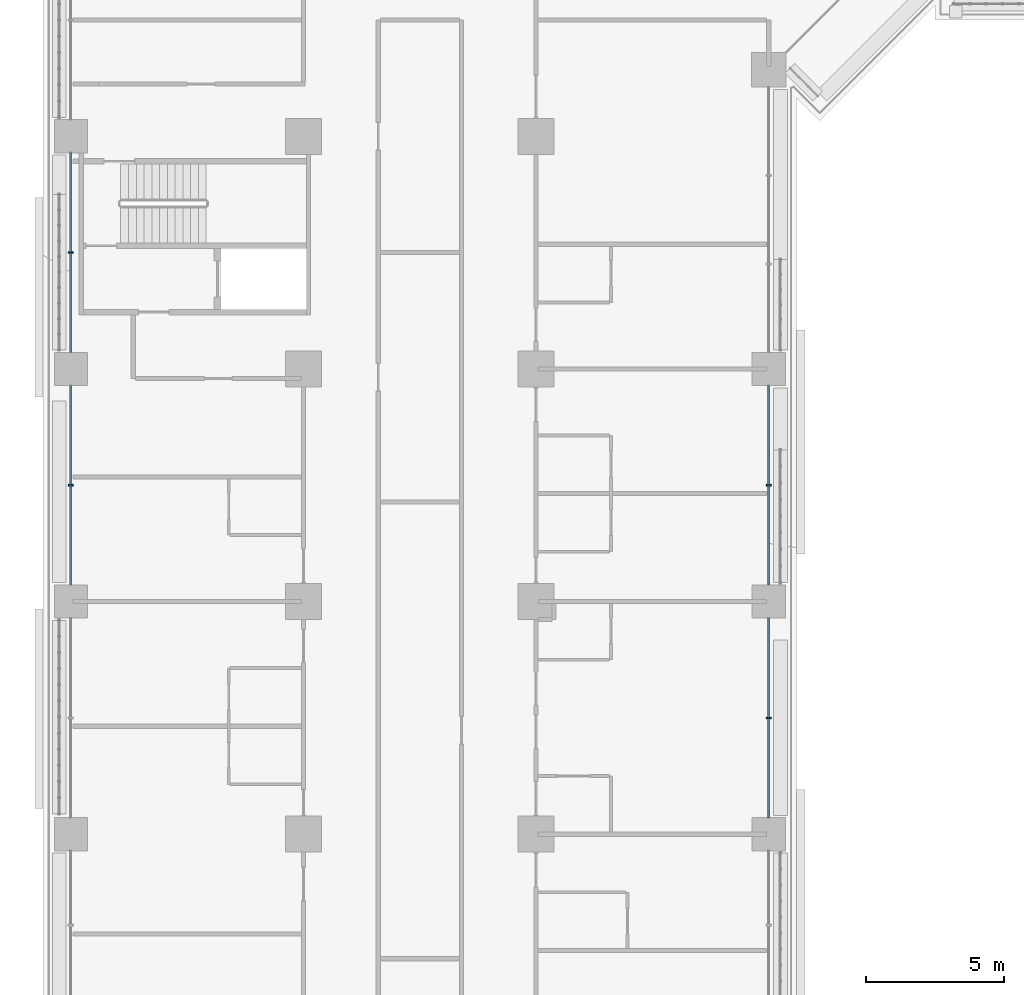
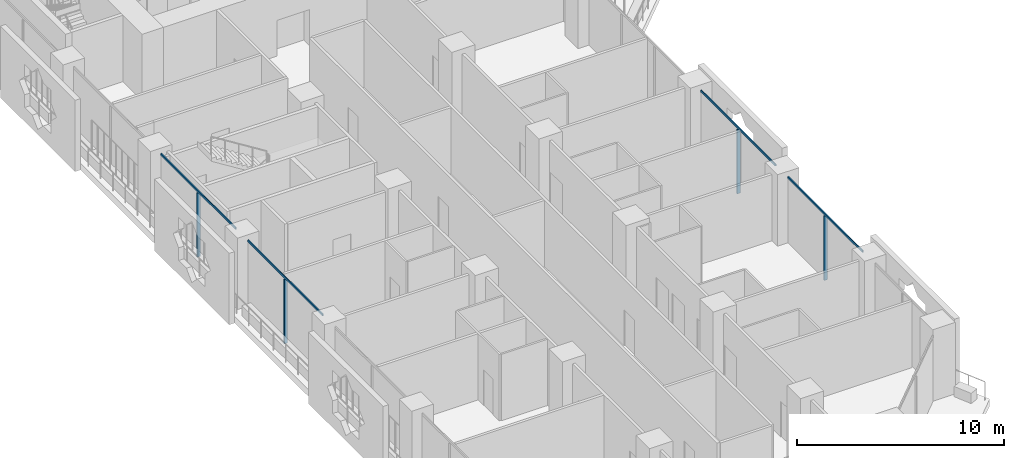
# One storey, part 3 of 27: 8 members, 2 elements without a shape of their own.
"""IFC4 building model written with IfcOpenShell, lengths in metres."""

from ifc_helpers import new_model, si_unit, direction, frame, origin, origin_2d, place, context, subcontext, project, spatial, rectangle, extrude, material, layer, layer_set, material_profile, profile_set, type_object, element, aggregate, save


model = new_model("IFC4")

# Units and contexts
model_context = context("Model", 3, precision=1e-05, world=origin(), true_north=direction((0.0, 1.0)))
body_context = subcontext(model_context, "Body", "Model", "MODEL_VIEW")
ifc_project = project(units=[si_unit("LENGTHUNIT", "METRE"), si_unit("AREAUNIT", "SQUARE_METRE"), si_unit("VOLUMEUNIT", "CUBIC_METRE"), si_unit("PLANEANGLEUNIT", "RADIAN"), si_unit("MASSUNIT", "GRAM", prefix="KILO")], contexts=[model_context])

# Site, building, storey
site_placement = place(None, origin())
site = spatial("IfcSite", under=ifc_project, at=site_placement, CompositionType="ELEMENT")
building_placement = place(site_placement, origin())
building = spatial("IfcBuilding", under=site, at=building_placement, Name="Kawkab Arch Medical Tower", CompositionType="ELEMENT")
storey_placement = place(building_placement, frame((0.0, 0.0, 85.39990234375)))
storey = spatial("IfcBuildingStorey", under=building, at=storey_placement, Name="L19", CompositionType="ELEMENT", Elevation=85.39990234375)

# Curtain wall, members
ifc_material_1 = material(Name="Bronze anodised aluminium curtain wall frame", Category="aluminium")
ifc_layer = layer(ifc_material_1, 0.159912109375)
ifc_layer_set = layer_set([ifc_layer], Name="Bronze anodised aluminium curtain wall frame")
curtain_wall_type = type_object("IfcCurtainWallType", Name="CW1 ward curtain wall", PredefinedType="NOTDEFINED", material=ifc_layer_set)
placement = place(storey_placement, origin())
curtain_wall_1 = element("IfcCurtainWall", 1, at=placement, inside=storey, type_object=curtain_wall_type, Name="CW1 Ward curtain wall R01", PredefinedType="NOTDEFINED")
ifc_material_2 = material(Name="Bronze anodised aluminium curtain wall frame", Category="aluminium")
ifc_material_profile_1 = material_profile(ifc_material_2, rectangle(XDim=0.179931640625, YDim=0.06005859375, at=origin_2d()), Name="AL 60x180")
ifc_profile_set_1 = profile_set([ifc_material_profile_1], Name="Bronze anodised aluminium curtain wall frame")
member_type_1 = type_object("IfcMemberType", Name="CW1 mullion 60 x 180", PredefinedType="MULLION", material=ifc_profile_set_1)
member_1_placement = place(storey_placement, frame((0.0, -37.800048828125, 0.0), z_axis=(0.0, 0.0, 1.0), x_axis=(1.0, 0.0, 0.0)))
member_1 = element("IfcMember", 2, at=member_1_placement, type_object=member_type_1, Name="CW1 mullion 4.1", PredefinedType="MULLION", context=body_context, shape_type="SweptSolid", body=[
    extrude(rectangle(XDim=0.179931640625, YDim=0.06005859375, at=origin_2d()), origin(), (0.0, 0.0, 1.0), 3.780029296875),
])
member_2_placement = place(storey_placement, frame((0.0, -46.199951171875, 0.0), z_axis=(0.0, 0.0, 1.0), x_axis=(1.0, 0.0, 0.0)))
member_2 = element("IfcMember", 3, at=member_2_placement, type_object=member_type_1, Name="CW1 mullion 5.1", PredefinedType="MULLION", context=body_context, shape_type="SweptSolid", body=[
    extrude(rectangle(XDim=0.179931640625, YDim=0.06005859375, at=origin_2d()), origin(), (0.0, 0.0, 1.0), 3.780029296875),
])

curtain_wall_2 = element("IfcCurtainWall", 4, at=placement, inside=storey, type_object=curtain_wall_type, Name="CW1 Ward curtain wall R05", PredefinedType="NOTDEFINED")
member_3_placement = place(storey_placement, frame((25.199951171875, -54.60009765625, 0.0), z_axis=(0.0, 0.0, 1.0), x_axis=(-1.0, 0.0, 0.0)))
member_3 = element("IfcMember", 5, at=member_3_placement, type_object=member_type_1, Name="CW1 mullion 2.1", PredefinedType="MULLION", context=body_context, shape_type="SweptSolid", body=[
    extrude(rectangle(XDim=0.179931640625, YDim=0.06005859375, at=origin_2d()), origin(), (0.0, 0.0, 1.0), 3.780029296875),
])
member_4_placement = place(storey_placement, frame((25.199951171875, -46.199951171875, 0.0), z_axis=(0.0, 0.0, 1.0), x_axis=(-1.0, 0.0, 0.0)))
member_4 = element("IfcMember", 6, at=member_4_placement, type_object=member_type_1, Name="CW1 mullion 3.1", PredefinedType="MULLION", context=body_context, shape_type="SweptSolid", body=[
    extrude(rectangle(XDim=0.179931640625, YDim=0.06005859375, at=origin_2d()), origin(), (0.0, 0.0, 1.0), 3.780029296875),
])

# Member
ifc_material_3 = material(Name="Bronze anodised aluminium curtain wall frame", Category="aluminium")
ifc_material_profile_2 = material_profile(ifc_material_3, rectangle(XDim=0.06005859375, YDim=0.1201171875, at=origin_2d()), Name="AL 60x120")
ifc_profile_set_2 = profile_set([ifc_material_profile_2], Name="Bronze anodised aluminium curtain wall frame")
member_type_2 = type_object("IfcMemberType", Name="CW1 transom 120 x 60", PredefinedType="USERDEFINED", material=ifc_profile_set_2)
member_5_placement = place(storey_placement, frame((0.0, -34.199951171875, 3.840087890625), z_axis=(0.0, -1.0, 0.0), x_axis=(1.0, 0.0, 0.0)))
member_5 = element("IfcMember", 7, at=member_5_placement, type_object=member_type_2, Name="CW1 transom 4", ObjectType="TRANSOM", PredefinedType="USERDEFINED", context=body_context, shape_type="SweptSolid", body=[
    extrude(rectangle(XDim=0.06005859375, YDim=0.1201171875, at=origin_2d()), origin(), (0.0, 0.0, 1.0), 7.199951171875),
])

member_6_placement = place(storey_placement, frame((0.0, -42.60009765625, 3.840087890625), z_axis=(0.0, -1.0, 0.0), x_axis=(1.0, 0.0, 0.0)))
member_6 = element("IfcMember", 8, at=member_6_placement, type_object=member_type_2, Name="CW1 transom 5", ObjectType="TRANSOM", PredefinedType="USERDEFINED", context=body_context, shape_type="SweptSolid", body=[
    extrude(rectangle(XDim=0.06005859375, YDim=0.1201171875, at=origin_2d()), origin(), (0.0, 0.0, 1.0), 7.199951171875),
])

aggregate(curtain_wall_1, [member_5, member_1, member_6, member_2])

member_7_placement = place(storey_placement, frame((25.199951171875, -58.199951171875, 3.840087890625), z_axis=(0.0, 1.0, 0.0), x_axis=(-1.0, 0.0, 0.0)))
member_7 = element("IfcMember", 9, at=member_7_placement, type_object=member_type_2, Name="CW1 transom 2", ObjectType="TRANSOM", PredefinedType="USERDEFINED", context=body_context, shape_type="SweptSolid", body=[
    extrude(rectangle(XDim=0.06005859375, YDim=0.1201171875, at=origin_2d()), origin(), (0.0, 0.0, 1.0), 7.199951171875),
])

member_8_placement = place(storey_placement, frame((25.199951171875, -49.800048828125, 3.840087890625), z_axis=(0.0, 1.0, 0.0), x_axis=(-1.0, 0.0, 0.0)))
member_8 = element("IfcMember", 10, at=member_8_placement, type_object=member_type_2, Name="CW1 transom 3", ObjectType="TRANSOM", PredefinedType="USERDEFINED", context=body_context, shape_type="SweptSolid", body=[
    extrude(rectangle(XDim=0.06005859375, YDim=0.1201171875, at=origin_2d()), origin(), (0.0, 0.0, 1.0), 7.199951171875),
])

aggregate(curtain_wall_2, [member_7, member_3, member_8, member_4])

save(model, "model.ifc")
